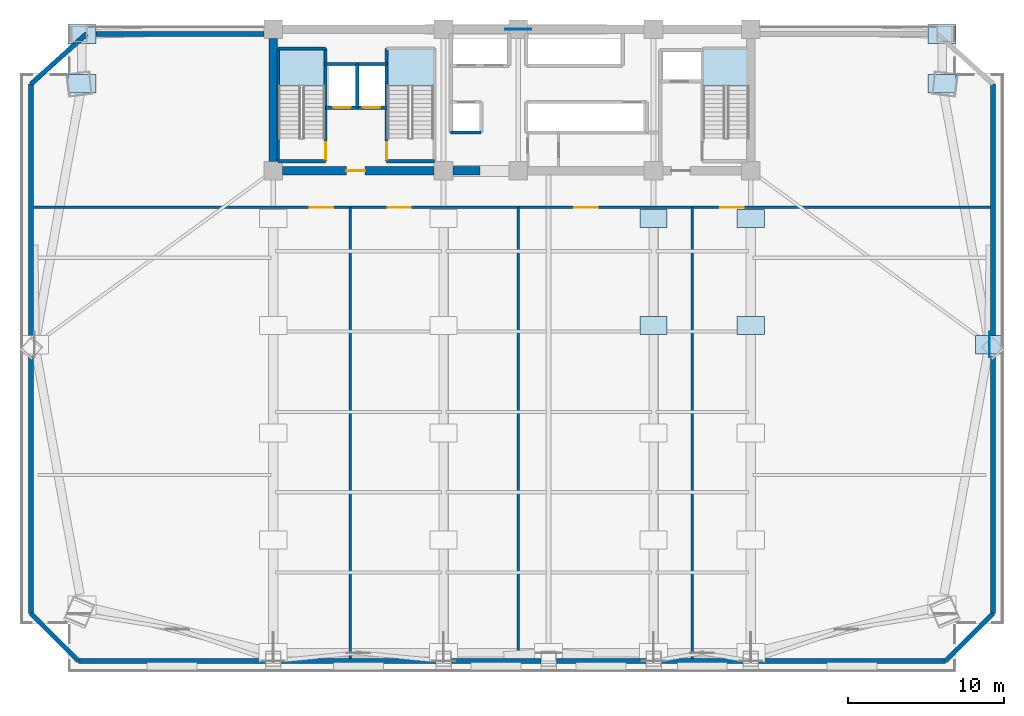
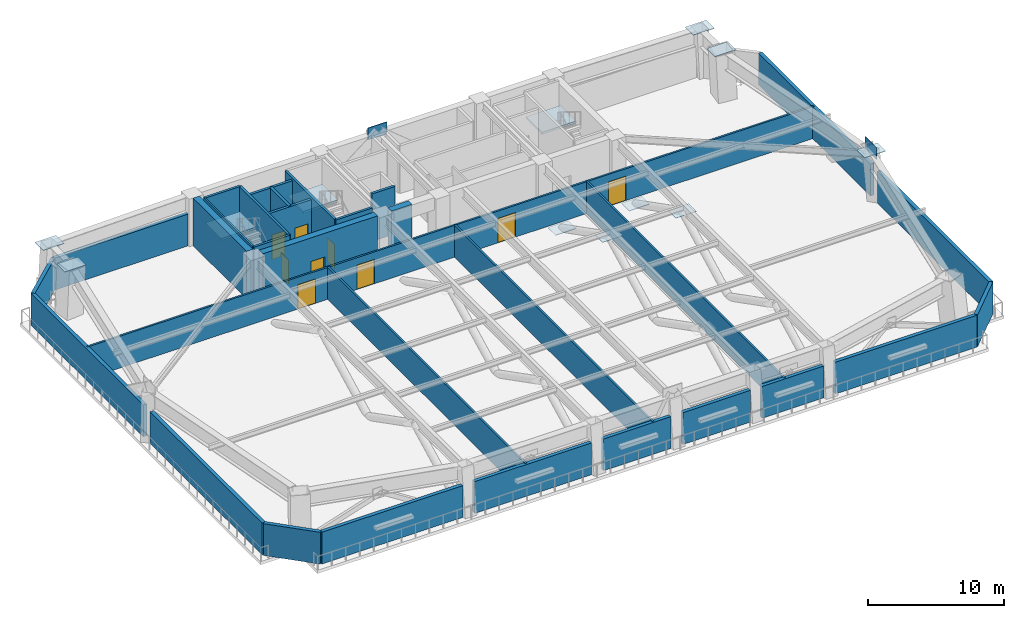
# One storey, part 3 of 10: 31 walls, 11 plates, 9 doors, 3 slabs, 9 openings, 3 elements without a shape of their own.
"""IFC4 building model written with IfcOpenShell, lengths in metres."""

from ifc_helpers import new_model, si_unit, direction, frame, frame_2d, origin, origin_2d, place, context, subcontext, project, spatial, polyline, rectangle, outline, extrude, source, transform, mapped, material, layer, layer_set, type_object, element, fill, aggregate, save


model = new_model("IFC4")

# Units and contexts
model_context = context("Model", 3, precision=1e-05, world=origin(), true_north=direction((0.0, 1.0)))
body_context = subcontext(model_context, "Body", "Model", "MODEL_VIEW")
ifc_project = project(units=[si_unit("LENGTHUNIT", "METRE"), si_unit("AREAUNIT", "SQUARE_METRE"), si_unit("VOLUMEUNIT", "CUBIC_METRE"), si_unit("PLANEANGLEUNIT", "RADIAN"), si_unit("MASSUNIT", "GRAM", prefix="KILO")], contexts=[model_context])

# Site, building, storey
site_placement = place(None, origin())
site = spatial("IfcSite", under=ifc_project, at=site_placement, CompositionType="ELEMENT")
building_placement = place(site_placement, origin())
building = spatial("IfcBuilding", under=site, at=building_placement, Name="Giltprow Tower", CompositionType="ELEMENT")
storey_placement = place(building_placement, frame((0.0, 0.0, 95.199951171875)))
storey = spatial("IfcBuildingStorey", under=building, at=storey_placement, Name="L23", CompositionType="ELEMENT", Elevation=95.199951171875)

# Stair, slab
ifc_material_1 = material(Name="Concrete C40", Category="concrete")
stair_type_1 = type_object("IfcStairType", Name="STR-ST-1", PredefinedType="HALF_TURN_STAIR", material=ifc_material_1)
stair_1_placement = place(storey_placement, origin())
stair_1 = element("IfcStair", 1, at=stair_1_placement, inside=storey, type_object=stair_type_1, Name="L23 Core Exit Stair ST-1", PredefinedType="HALF_TURN_STAIR")
ifc_layer_1 = layer(ifc_material_1, 0.179931640625, Name="Concrete C40")
ifc_layer_set_1 = layer_set([ifc_layer_1], Name="Concrete C40")
slab_type_1 = type_object("IfcSlabType", Name="SLD-ST-1", PredefinedType="LANDING", material=ifc_layer_set_1)
slab_1_placement = place(storey_placement, frame((0.0, 0.0, 2.070068359375)))
slab_1 = element("IfcSlab", 2, at=slab_1_placement, type_object=slab_type_1, Name="ST-1 landing 1", PredefinedType="LANDING", context=body_context, shape_type="SweptSolid", body=[
    extrude(outline(polyline([(23.159912109375, 42.909912109375), (23.159912109375, 45.25), (20.199951171875, 45.25), (20.199951171875, 42.909912109375), (23.159912109375, 42.909912109375)])), origin(), (0.0, 0.0, 1.0), 0.179931640625),
])
aggregate(stair_1, [slab_1])

stair_type_2 = type_object("IfcStairType", Name="STR-ST-2", PredefinedType="HALF_TURN_STAIR", material=ifc_material_1)
stair_2_placement = place(storey_placement, origin())
stair_2 = element("IfcStair", 3, at=stair_2_placement, inside=storey, type_object=stair_type_2, Name="L23 Core Exit Stair ST-2", PredefinedType="HALF_TURN_STAIR")
ifc_layer_2 = layer(ifc_material_1, 0.18798828125, Name="Concrete C40")
ifc_layer_set_2 = layer_set([ifc_layer_2], Name="Concrete C40")
slab_type_2 = type_object("IfcSlabType", Name="SLD-ST-2", PredefinedType="LANDING", material=ifc_layer_set_2)
slab_2_placement = place(storey_placement, frame((0.0, 0.0, 2.06201171875)))
slab_2 = element("IfcSlab", 4, at=slab_2_placement, type_object=slab_type_2, Name="ST-2 landing 1", PredefinedType="LANDING", context=body_context, shape_type="SweptSolid", body=[
    extrude(outline(polyline([(30.159912109375, 42.909912109375), (30.159912109375, 45.25), (27.199951171875, 45.25), (27.199951171875, 42.909912109375), (30.159912109375, 42.909912109375)])), origin(), (0.0, 0.0, 1.0), 0.18798828125),
])
aggregate(stair_2, [slab_2])

stair_type_3 = type_object("IfcStairType", Name="STR-ST-3", PredefinedType="HALF_TURN_STAIR", material=ifc_material_1)
stair_3_placement = place(storey_placement, origin())
stair_3 = element("IfcStair", 5, at=stair_3_placement, inside=storey, type_object=stair_type_3, Name="L23 Core Exit Stair ST-3", PredefinedType="HALF_TURN_STAIR")
ifc_layer_3 = layer(ifc_material_1, 0.196044921875, Name="Concrete C40")
ifc_layer_set_3 = layer_set([ifc_layer_3], Name="Concrete C40")
slab_type_3 = type_object("IfcSlabType", Name="SLD-ST-3", PredefinedType="LANDING", material=ifc_layer_set_3)
slab_3_placement = place(storey_placement, frame((0.0, 0.0, 2.053955078125)))
slab_3 = element("IfcSlab", 6, at=slab_3_placement, type_object=slab_type_3, Name="ST-3 landing 1", PredefinedType="LANDING", context=body_context, shape_type="SweptSolid", body=[
    extrude(outline(polyline([(50.4599609375, 42.909912109375), (50.4599609375, 45.25), (47.5, 45.25), (47.5, 42.909912109375), (50.4599609375, 42.909912109375)])), origin(), (0.0, 0.0, 1.0), 0.196044921875),
])
aggregate(stair_3, [slab_3])

# Plates
ifc_material_2 = material(Name="Structural steel Q420GJC", Category="steel")
plate_type_1 = type_object("IfcPlateType", Name="PLT-CAP-SEAL-INT", PredefinedType="USERDEFINED", material=ifc_material_2)
shared_shape_1 = source(origin(), body_context, "Body", "SweptSolid", [
    extrude(rectangle(XDim=1.75, YDim=1.14990234375, at=origin_2d()), origin(), (0.0, 0.0, 1.0), 0.0400390625),
])
for number, where, z_axis, x_axis, name in (
    (7, (44.300048828125, 27.5029296875, 3.43994140625), (0.0, 0.0, 1.0), (1.0, 0.0, 0.0), "Outrigger Seal Plate L23-S3-3B"),
    (8, (44.300048828125, 34.39990234375, -0.099853515625), (0.0, 0.0, 1.0), (1.0, 0.0, 0.0), "Outrigger Seal Plate L23-S3-4B"),
    (9, (50.550048828125, 27.5029296875, 3.43994140625), (0.0, 0.0, 1.0), (1.0, 0.0, 0.0), "Outrigger Seal Plate L23-S4-3B"),
    (10, (50.550048828125, 34.39990234375, -0.099853515625), (0.0, 0.0, 1.0), (1.0, 0.0, 0.0), "Outrigger Seal Plate L23-S4-4B"),
):
    element("IfcPlate", number, at=place(storey_placement, frame(where, z_axis=z_axis, x_axis=x_axis)), inside=storey, type_object=plate_type_1, Name=name, ObjectType="SPLICE", PredefinedType="USERDEFINED", context=body_context, shape_type="MappedRepresentation", body=[
        mapped(shared_shape_1, transform((0.0, 0.0, 0.0), x_axis=(1.0, 0.0, 0.0), y_axis=(0.0, 1.0, 0.0), z_axis=(0.0, 0.0, 1.0), scale=1.0)),
    ])
plate_type_2 = type_object("IfcPlateType", Name="PLT-NODE-CKN1", PredefinedType="USERDEFINED", material=ifc_material_2)
shared_shape_2 = source(origin(), body_context, "Body", "SweptSolid", [
    extrude(rectangle(XDim=1.800048828125, YDim=1.199951171875, at=origin_2d()), origin(), (0.0, 0.0, 1.0), 0.044921875),
])
for number, where, z_axis, x_axis, name in (
    (11, (7.552978515625, 43.055908203125, 4.237548828125), (0.0, 0.0, 1.0), (1.0, 0.0, 0.0), "CKN1 Column Taper Splice Node L23-MC_NW"),
    (12, (62.847900390625, 43.055908203125, 4.237548828125), (0.0, 0.0, 1.0), (1.0, 0.0, 0.0), "CKN1 Column Taper Splice Node L23-MC_NE"),
    (13, (65.89111328125, 26.280029296875, 4.237548828125), (0.0, 0.0, 1.0), (1.0, 0.0, 0.0), "CKN1 Column Taper Splice Node L23-E_MID"),
    (14, (7.552978515625, 46.25, 4.237548828125), (0.0, 0.0, 1.0), (1.0, 0.0, 0.0), "CKN1 Column Taper Splice Node L23-N_W"),
    (15, (62.847900390625, 46.25, 4.237548828125), (0.0, 0.0, 1.0), (1.0, 0.0, 0.0), "CKN1 Column Taper Splice Node L23-N_E"),
):
    element("IfcPlate", number, at=place(storey_placement, frame(where, z_axis=z_axis, x_axis=x_axis)), inside=storey, type_object=plate_type_2, Name=name, ObjectType="SPLICE", PredefinedType="USERDEFINED", context=body_context, shape_type="MappedRepresentation", body=[
        mapped(shared_shape_2, transform((0.0, 0.0, 0.0), x_axis=(1.0, 0.0, 0.0), y_axis=(0.0, 1.0, 0.0), z_axis=(0.0, 0.0, 1.0), scale=1.0)),
    ])
plate_type_3 = type_object("IfcPlateType", Name="PLT-NODE-MBN2", PredefinedType="USERDEFINED", material=ifc_material_2)
shared_shape_3 = source(origin(), body_context, "Body", "SweptSolid", [
    extrude(rectangle(XDim=1.64990234375, YDim=0.044921875, at=origin_2d()), origin(), (0.0, 0.0, 1.0), 1.050048828125),
])
for number, where, z_axis, x_axis, name in (
    (16, (35.60009765625, 46.550048828125, 3.8349609375), (0.0, 0.0, 1.0), (1.0, 0.0, 0.0), "Mega-Brace Node L23-N-LB"),
    (17, (65.89111328125, 26.280029296875, 3.97509765625), (0.0, 0.0, 1.0), (0.0, 1.0, 0.0), "Mega-Brace Node L23-E-RB"),
):
    element("IfcPlate", number, at=place(storey_placement, frame(where, z_axis=z_axis, x_axis=x_axis)), inside=storey, type_object=plate_type_3, Name=name, ObjectType="GUSSET", PredefinedType="USERDEFINED", context=body_context, shape_type="MappedRepresentation", body=[
        mapped(shared_shape_3, transform((0.0, 0.0, 0.0), x_axis=(1.0, 0.0, 0.0), y_axis=(0.0, 1.0, 0.0), z_axis=(0.0, 0.0, 1.0), scale=1.0)),
    ])

# Walls
ifc_material_3 = material(Name="Precast concrete C40", Category="concrete")
ifc_layer_4 = layer(ifc_material_3, 0.300048828125, Name="Precast concrete C40")
ifc_layer_set_4 = layer_set([ifc_layer_4], Name="Precast concrete C40")
wall_type_1 = type_object("IfcWallType", Name="EW-NOTCH-CHAMFER-300", PredefinedType="SOLIDWALL", material=ifc_layer_set_4)
for number, where, z_axis, x_axis, name in (
    (18, (4.27490234375, 9.006103515625, 0.0), (0.0, 0.0, 1.0), (0.707106781187, -0.707106781187, 0.0), "L23 Corner Notch Wall SW"),
    (19, (63.055908203125, 5.93603515625, 0.0), (0.0, 0.0, 1.0), (0.707106781187, 0.707106781187, 0.0), "L23 Corner Notch Wall SE"),
):
    element("IfcWall", number, at=place(storey_placement, frame(where, z_axis=z_axis, x_axis=x_axis)), inside=storey, type_object=wall_type_1, Name=name, PredefinedType="SOLIDWALL", context=body_context, shape_type="SweptSolid", body=[
        extrude(rectangle(XDim=4.341796875, YDim=0.300048828125, at=frame_2d((2.1708984375, 0.0))), origin(), (0.0, 0.0, 1.0), 2.860107421875),
    ])
wall_1_placement = place(storey_placement, frame((7.844970703125, 46.25, 0.0), z_axis=(0.0, 0.0, 1.0), x_axis=(-0.742579132676, -0.669758338294, 0.0)))
element("IfcWall", 20, at=wall_1_placement, inside=storey, type_object=wall_type_1, Name="L23 Corner Notch Wall NW", PredefinedType="SOLIDWALL", context=body_context, shape_type="SweptSolid", body=[
    extrude(rectangle(XDim=4.8076171875, YDim=0.300048828125, at=frame_2d((2.40380859375, 0.0))), origin(), (0.0, 0.0, 1.0), 2.860107421875),
])
ifc_layer_5 = layer(ifc_material_3, 0.300048828125, Name="Precast concrete C40")
ifc_layer_set_5 = layer_set([ifc_layer_5], Name="Precast concrete C40")
wall_type_2 = type_object("IfcWallType", Name="EW-REF-LOUVRE-300", PredefinedType="SOLIDWALL", material=ifc_layer_set_5)
wall_2_placement = place(storey_placement, frame((7.344970703125, 5.93603515625, 0.0), z_axis=(0.0, 0.0, 1.0), x_axis=(1.0, 0.0, 0.0)))
element("IfcWall", 21, at=wall_2_placement, inside=storey, type_object=wall_type_2, Name="L23 South Expressed Frame Wall 1", PredefinedType="SOLIDWALL", context=body_context, shape_type="SweptSolid", body=[
    extrude(rectangle(XDim=12.005126953125, YDim=0.300048828125, at=frame_2d((6.00244140625, 0.0))), origin(), (0.0, 0.0, 1.0), 2.860107421875),
])
wall_3_placement = place(storey_placement, frame((20.35009765625, 5.93603515625, 0.0), z_axis=(0.0, 0.0, 1.0), x_axis=(1.0, 0.0, 0.0)))
element("IfcWall", 22, at=wall_3_placement, inside=storey, type_object=wall_type_2, Name="L23 South Expressed Frame Wall 2", PredefinedType="SOLIDWALL", context=body_context, shape_type="SweptSolid", body=[
    extrude(rectangle(XDim=9.949951171875, YDim=0.300048828125, at=frame_2d((4.97509765625, 0.0))), origin(), (0.0, 0.0, 1.0), 2.860107421875),
])
for number, where, z_axis, x_axis, name in (
    (23, (31.300048828125, 5.93603515625, 0.0), (0.0, 0.0, 1.0), (1.0, 0.0, 0.0), "L23 South Expressed Frame Wall 3"),
    (24, (38.050048828125, 5.93603515625, 0.0), (0.0, 0.0, 1.0), (1.0, 0.0, 0.0), "L23 South Expressed Frame Wall 4"),
):
    element("IfcWall", number, at=place(storey_placement, frame(where, z_axis=z_axis, x_axis=x_axis)), inside=storey, type_object=wall_type_2, Name=name, PredefinedType="SOLIDWALL", context=body_context, shape_type="SweptSolid", body=[
        extrude(rectangle(XDim=5.75, YDim=0.300048828125, at=frame_2d((2.875, 0.0))), origin(), (0.0, 0.0, 1.0), 2.860107421875),
    ])
wall_4_placement = place(storey_placement, frame((44.800048828125, 5.93603515625, 0.0), z_axis=(0.0, 0.0, 1.0), x_axis=(1.0, 0.0, 0.0)))
element("IfcWall", 25, at=wall_4_placement, inside=storey, type_object=wall_type_2, Name="L23 South Expressed Frame Wall 5", PredefinedType="SOLIDWALL", context=body_context, shape_type="SweptSolid", body=[
    extrude(rectangle(XDim=5.25, YDim=0.300048828125, at=frame_2d((2.625, 0.0))), origin(), (0.0, 0.0, 1.0), 2.860107421875),
])
wall_5_placement = place(storey_placement, frame((51.050048828125, 5.93603515625, 0.0), z_axis=(0.0, 0.0, 1.0), x_axis=(1.0, 0.0, 0.0)))
element("IfcWall", 26, at=wall_5_placement, inside=storey, type_object=wall_type_2, Name="L23 South Expressed Frame Wall 6", PredefinedType="SOLIDWALL", context=body_context, shape_type="SweptSolid", body=[
    extrude(rectangle(XDim=12.005859375, YDim=0.300048828125, at=frame_2d((6.0029296875, 0.0))), origin(), (0.0, 0.0, 1.0), 2.860107421875),
])
for number, where, z_axis, x_axis, name in (
    (27, (4.27490234375, 9.006103515625, 0.0), (0.0, 0.0, 1.0), (0.0, 1.0, 0.0), "L23 W Wing Masonry Wall 1"),
    (28, (4.27490234375, 26.51806640625, 0.0), (0.0, 0.0, 1.0), (0.0, 1.0, 0.0), "L23 W Wing Masonry Wall 2"),
    (29, (66.1259765625, 9.006103515625, 0.0), (0.0, 0.0, 1.0), (0.0, 1.0, 0.0), "L23 E Wing Masonry Wall 1"),
    (30, (66.1259765625, 26.51806640625, 0.0), (0.0, 0.0, 1.0), (0.0, 1.0, 0.0), "L23 E Wing Masonry Wall 2"),
):
    element("IfcWall", number, at=place(storey_placement, frame(where, z_axis=z_axis, x_axis=x_axis)), inside=storey, type_object=wall_type_2, Name=name, PredefinedType="SOLIDWALL", context=body_context, shape_type="SweptSolid", body=[
        extrude(rectangle(XDim=16.511962890625, YDim=0.300048828125, at=frame_2d((8.255859375, 0.0))), origin(), (0.0, 0.0, 1.0), 2.860107421875),
    ])
wall_6_placement = place(storey_placement, frame((7.844970703125, 46.25, 0.0), z_axis=(0.0, 0.0, 1.0), x_axis=(1.0, 0.0, 0.0)))
element("IfcWall", 31, at=wall_6_placement, inside=storey, type_object=wall_type_2, Name="L23 North-West Wing Wall", PredefinedType="SOLIDWALL", context=body_context, shape_type="SweptSolid", body=[
    extrude(rectangle(XDim=11.405029296875, YDim=0.300048828125, at=frame_2d((5.70263671875, 0.0))), origin(), (0.0, 0.0, 1.0), 2.860107421875),
])

# Wall, openings, doors
ifc_material_4 = material(Name="Gypsum stud partition", Category="gypsum")
ifc_layer_6 = layer(ifc_material_4, 0.159912109375, Name="Gypsum stud partition")
ifc_layer_set_6 = layer_set([ifc_layer_6], Name="Gypsum stud partition")
wall_type_3 = type_object("IfcWallType", Name="IW-DEMISE-160", PredefinedType="PARTITIONING", material=ifc_layer_set_6)
wall_7_placement = place(storey_placement, frame((4.27490234375, 35.10009765625, 0.0), z_axis=(0.0, 0.0, 1.0), x_axis=(1.0, 0.0, 0.0)))
wall_7 = element("IfcWall", 32, at=wall_7_placement, inside=storey, type_object=wall_type_3, Name="L23 Refuge and Plant Corridor Wall", PredefinedType="PARTITIONING", context=body_context, shape_type="SweptSolid", body=[
    extrude(rectangle(XDim=61.85107421875, YDim=0.159912109375, at=frame_2d((30.925537109375, 0.0))), origin(), (0.0, 0.0, 1.0), 2.864990234375),
])
opening_1_placement = place(wall_7_placement, frame((17.925048828125, 0.0, 0.0)))
opening_1 = element("IfcOpeningElement", 33, at=opening_1_placement, cuts=wall_7, Name="Opening ID25", PredefinedType="OPENING", context=body_context, shape_type="SweptSolid", body=[
    extrude(rectangle(XDim=1.5, YDim=2.199951171875, at=frame_2d((0.75, 1.10009765625))), frame((0.0, 0.08984375, 0.0), z_axis=(0.0, -1.0, 0.0), x_axis=(1.0, 0.0, 0.0)), (0.0, 0.0, 1.0), 0.179931640625),
])
opening_2_placement = place(wall_7_placement, frame((22.925048828125, 0.0, 0.0)))
opening_2 = element("IfcOpeningElement", 34, at=opening_2_placement, cuts=wall_7, Name="Opening ID25", PredefinedType="OPENING", context=body_context, shape_type="SweptSolid", body=[
    extrude(rectangle(XDim=1.5, YDim=2.199951171875, at=frame_2d((0.75, 1.10009765625))), frame((0.0, 0.08984375, 0.0), z_axis=(0.0, -1.0, 0.0), x_axis=(1.0, 0.0, 0.0)), (0.0, 0.0, 1.0), 0.179931640625),
])
opening_3_placement = place(wall_7_placement, frame((34.925048828125, 0.0, 0.0)))
opening_3 = element("IfcOpeningElement", 35, at=opening_3_placement, cuts=wall_7, Name="Opening ID25", PredefinedType="OPENING", context=body_context, shape_type="SweptSolid", body=[
    extrude(rectangle(XDim=1.5, YDim=2.199951171875, at=frame_2d((0.75, 1.10009765625))), frame((0.0, 0.08984375, 0.0), z_axis=(0.0, -1.0, 0.0), x_axis=(1.0, 0.0, 0.0)), (0.0, 0.0, 1.0), 0.179931640625),
])
opening_4_placement = place(wall_7_placement, frame((44.324951171875, 0.0, 0.0)))
opening_4 = element("IfcOpeningElement", 36, at=opening_4_placement, cuts=wall_7, Name="Opening ID25", PredefinedType="OPENING", context=body_context, shape_type="SweptSolid", body=[
    extrude(rectangle(XDim=1.5, YDim=2.199951171875, at=frame_2d((0.75, 1.10009765625))), frame((0.0, 0.08984375, 0.0), z_axis=(0.0, -1.0, 0.0), x_axis=(1.0, 0.0, 0.0)), (0.0, 0.0, 1.0), 0.179931640625),
])
ifc_material_5 = material(Name="Steel fire leaf", Category="steel")
door_type_1 = type_object("IfcDoorType", Name="DR-PLANT-1500", OperationType="DOUBLE_SWING_LEFT", PredefinedType="DOOR", material=ifc_material_5)
shared_shape_4 = source(origin(), body_context, "Body", "SweptSolid", [
    extrude(rectangle(XDim=1.5, YDim=2.199951171875, at=frame_2d((0.75, 1.10009765625))), frame((0.0, 0.02490234375, 0.0), z_axis=(0.0, -1.0, 0.0), x_axis=(1.0, 0.0, 0.0)), (0.0, 0.0, 1.0), 0.050048828125),
])
door_1_placement = place(opening_1_placement, origin())
door_1 = element("IfcDoor", 37, at=door_1_placement, inside=storey, type_object=door_type_1, Name="L23 Pressurized Fire Refuge Holding Area West Door", OperationType="DOUBLE_SWING_LEFT", OverallHeight=2.199951171875, OverallWidth=1.5, PredefinedType="DOOR", context=body_context, shape_type="MappedRepresentation", body=[
    mapped(shared_shape_4, transform((0.0, 0.0, 0.0), x_axis=(1.0, 0.0, 0.0), y_axis=(0.0, 1.0, 0.0), z_axis=(0.0, 0.0, 1.0), scale=1.0)),
])
fill(opening_1, door_1)
door_2_placement = place(opening_2_placement, origin())
door_2 = element("IfcDoor", 38, at=door_2_placement, inside=storey, type_object=door_type_1, Name="L23 Zone Air Handling and Smoke Dampers Plant Door", OperationType="DOUBLE_SWING_LEFT", OverallHeight=2.199951171875, OverallWidth=1.5, PredefinedType="DOOR", context=body_context, shape_type="MappedRepresentation", body=[
    mapped(shared_shape_4, transform((0.0, 0.0, 0.0), x_axis=(1.0, 0.0, 0.0), y_axis=(0.0, 1.0, 0.0), z_axis=(0.0, 0.0, 1.0), scale=1.0)),
])
fill(opening_2, door_2)
door_3_placement = place(opening_3_placement, origin())
door_3 = element("IfcDoor", 39, at=door_3_placement, inside=storey, type_object=door_type_1, Name="L23 High-Zone Heat Exchanger and Pump Plant Door", OperationType="DOUBLE_SWING_LEFT", OverallHeight=2.199951171875, OverallWidth=1.5, PredefinedType="DOOR", context=body_context, shape_type="MappedRepresentation", body=[
    mapped(shared_shape_4, transform((0.0, 0.0, 0.0), x_axis=(1.0, 0.0, 0.0), y_axis=(0.0, 1.0, 0.0), z_axis=(0.0, 0.0, 1.0), scale=1.0)),
])
fill(opening_3, door_3)
door_4_placement = place(opening_4_placement, origin())
door_4 = element("IfcDoor", 40, at=door_4_placement, inside=storey, type_object=door_type_1, Name="L23 Pressurized Fire Refuge Holding Area East Door", OperationType="DOUBLE_SWING_LEFT", OverallHeight=2.199951171875, OverallWidth=1.5, PredefinedType="DOOR", context=body_context, shape_type="MappedRepresentation", body=[
    mapped(shared_shape_4, transform((0.0, 0.0, 0.0), x_axis=(1.0, 0.0, 0.0), y_axis=(0.0, 1.0, 0.0), z_axis=(0.0, 0.0, 1.0), scale=1.0)),
])
fill(opening_4, door_4)

# Walls
for number, where, z_axis, x_axis, name in (
    (41, (24.800048828125, 5.93603515625, 0.0), (0.0, 0.0, 1.0), (0.0, 1.0, 0.0), "L23 Refuge Compartment Wall 1"),
    (42, (35.60009765625, 5.93603515625, 0.0), (0.0, 0.0, 1.0), (0.0, 1.0, 0.0), "L23 Refuge Compartment Wall 2"),
    (43, (46.800048828125, 5.93603515625, 0.0), (0.0, 0.0, 1.0), (0.0, 1.0, 0.0), "L23 Refuge Compartment Wall 3"),
):
    element("IfcWall", number, at=place(storey_placement, frame(where, z_axis=z_axis, x_axis=x_axis)), inside=storey, type_object=wall_type_3, Name=name, PredefinedType="PARTITIONING", context=body_context, shape_type="SweptSolid", body=[
        extrude(rectangle(XDim=29.1640625, YDim=0.159912109375, at=frame_2d((14.58203125, 0.0))), origin(), (0.0, 0.0, 1.0), 2.864990234375),
    ])

# Wall, openings, doors
ifc_layer_7 = layer(ifc_material_1, 0.219970703125, Name="Concrete C40")
ifc_layer_set_7 = layer_set([ifc_layer_7], Name="Concrete C40")
wall_type_4 = type_object("IfcWallType", Name="IW-SHAFT-220", PredefinedType="SOLIDWALL", material=ifc_layer_set_7)
wall_8_placement = place(storey_placement, frame((23.219970703125, 41.52001953125, 0.0), z_axis=(0.0, 0.0, 1.0), x_axis=(1.0, 0.0, 0.0)))
wall_8 = element("IfcWall", 44, at=wall_8_placement, inside=storey, type_object=wall_type_4, Name="L23 FFL1 and Service Lift Front Wall", PredefinedType="SOLIDWALL", context=body_context, shape_type="SweptSolid", body=[
    extrude(rectangle(XDim=3.919921875, YDim=0.219970703125, at=frame_2d((1.9599609375, 0.0))), origin(), (0.0, 0.0, 1.0), 4.280029296875),
])
opening_5_placement = place(wall_8_placement, frame((0.5, 0.0, 0.0)))
opening_5 = element("IfcOpeningElement", 45, at=opening_5_placement, cuts=wall_8, Name="Opening LD-11", PredefinedType="OPENING", context=body_context, shape_type="SweptSolid", body=[
    extrude(rectangle(XDim=1.10009765625, YDim=2.199951171875, at=frame_2d((0.550048828125, 1.10009765625))), frame((0.0, 0.119873046875, 0.0), z_axis=(0.0, -1.0, 0.0), x_axis=(1.0, 0.0, 0.0)), (0.0, 0.0, 1.0), 0.239990234375),
])
opening_6_placement = place(wall_8_placement, frame((2.39990234375, 0.0, 0.0)))
opening_6 = element("IfcOpeningElement", 46, at=opening_6_placement, cuts=wall_8, Name="Opening LD-11", PredefinedType="OPENING", context=body_context, shape_type="SweptSolid", body=[
    extrude(rectangle(XDim=1.10009765625, YDim=2.199951171875, at=frame_2d((0.550048828125, 1.10009765625))), frame((0.0, 0.119873046875, 0.0), z_axis=(0.0, -1.0, 0.0), x_axis=(1.0, 0.0, 0.0)), (0.0, 0.0, 1.0), 0.239990234375),
])
ifc_material_6 = material(Name="Stainless steel", Category="steel")
door_type_2 = type_object("IfcDoorType", Name="DR-LIFT-LD1100", OperationType="SLIDING_TO_LEFT", PredefinedType="DOOR", material=ifc_material_6)
shared_shape_5 = source(origin(), body_context, "Body", "SweptSolid", [
    extrude(rectangle(XDim=1.10009765625, YDim=2.199951171875, at=frame_2d((0.550048828125, 1.10009765625))), frame((0.0, 0.02490234375, 0.0), z_axis=(0.0, -1.0, 0.0), x_axis=(1.0, 0.0, 0.0)), (0.0, 0.0, 1.0), 0.050048828125),
])
door_5_placement = place(opening_5_placement, origin())
door_5 = element("IfcDoor", 47, at=door_5_placement, inside=storey, type_object=door_type_2, Name="L23 FFL1 Landing Door", OperationType="SLIDING_TO_LEFT", OverallHeight=2.199951171875, OverallWidth=1.10009765625, PredefinedType="DOOR", context=body_context, shape_type="MappedRepresentation", body=[
    mapped(shared_shape_5, transform((0.0, 0.0, 0.0), x_axis=(1.0, 0.0, 0.0), y_axis=(0.0, 1.0, 0.0), z_axis=(0.0, 0.0, 1.0), scale=1.0)),
])
fill(opening_5, door_5)
door_6_placement = place(opening_6_placement, origin())
door_6 = element("IfcDoor", 48, at=door_6_placement, inside=storey, type_object=door_type_2, Name="L23 SVL1 Landing Door", OperationType="SLIDING_TO_LEFT", OverallHeight=2.199951171875, OverallWidth=1.10009765625, PredefinedType="DOOR", context=body_context, shape_type="MappedRepresentation", body=[
    mapped(shared_shape_5, transform((0.0, 0.0, 0.0), x_axis=(1.0, 0.0, 0.0), y_axis=(0.0, 1.0, 0.0), z_axis=(0.0, 0.0, 1.0), scale=1.0)),
])
fill(opening_6, door_6)

# Walls
wall_9_placement = place(storey_placement, frame((25.260009765625, 41.52001953125, 0.0), z_axis=(0.0, 0.0, 1.0), x_axis=(0.0, 1.0, 0.0)))
element("IfcWall", 49, at=wall_9_placement, inside=storey, type_object=wall_type_4, Name="L23 FFL1-SVL1 Shaft Divider", PredefinedType="SOLIDWALL", context=body_context, shape_type="SweptSolid", body=[
    extrude(rectangle(XDim=2.800048828125, YDim=0.219970703125, at=frame_2d((1.39990234375, 0.0))), origin(), (0.0, 0.0, 1.0), 4.280029296875),
])
wall_10_placement = place(storey_placement, frame((23.219970703125, 44.320068359375, 0.0), z_axis=(0.0, 0.0, 1.0), x_axis=(1.0, 0.0, 0.0)))
element("IfcWall", 50, at=wall_10_placement, inside=storey, type_object=wall_type_4, Name="L23 FFL1-SVL1 Back Shaft Wall", PredefinedType="SOLIDWALL", context=body_context, shape_type="SweptSolid", body=[
    extrude(rectangle(XDim=3.919921875, YDim=0.219970703125, at=frame_2d((1.9599609375, 0.0))), origin(), (0.0, 0.0, 1.0), 4.280029296875),
])
wall_11_placement = place(storey_placement, frame((31.25, 39.919921875, 0.0), z_axis=(0.0, 0.0, 1.0), x_axis=(1.0, 0.0, 0.0)))
element("IfcWall", 51, at=wall_11_placement, inside=storey, type_object=wall_type_4, Name="L23 Low-Rise South Lift Back Wall", PredefinedType="SOLIDWALL", context=body_context, shape_type="SweptSolid", body=[
    extrude(rectangle(XDim=1.969970703125, YDim=0.219970703125, at=frame_2d((0.98486328125, 0.0))), origin(), (0.0, 0.0, 1.0), 4.280029296875),
])
ifc_material_7 = material(Name="Concrete C45", Category="concrete")
ifc_layer_8 = layer(ifc_material_7, 0.139892578125, Name="Concrete C45")
ifc_layer_set_8 = layer_set([ifc_layer_8], Name="Concrete C45")
wall_type_5 = type_object("IfcWallType", Name="IW-STAIR-140", PredefinedType="SOLIDWALL", material=ifc_layer_set_8)
wall_12_placement = place(storey_placement, frame((20.169921875, 38.070068359375, 0.0), z_axis=(0.0, 0.0, 1.0), x_axis=(0.0, 1.0, 0.0)))
element("IfcWall", 52, at=wall_12_placement, inside=storey, type_object=wall_type_5, Name="L23 Stair ST-1 West Bearing Wall", PredefinedType="SOLIDWALL", context=body_context, shape_type="SweptSolid", body=[
    extrude(rectangle(XDim=7.25, YDim=0.139892578125, at=frame_2d((3.625, 0.0))), origin(), (0.0, 0.0, 1.0), 4.5),
])

# Wall, opening, door
ifc_layer_9 = layer(ifc_material_1, 0.199951171875, Name="Concrete C40")
ifc_layer_set_9 = layer_set([ifc_layer_9], Name="Concrete C40")
wall_type_6 = type_object("IfcWallType", Name="IW-STAIR-200", PredefinedType="SOLIDWALL", material=ifc_layer_set_9)
wall_13_placement = place(storey_placement, frame((23.219970703125, 38.070068359375, 0.0), z_axis=(0.0, 0.0, 1.0), x_axis=(0.0, 1.0, 0.0)))
wall_13 = element("IfcWall", 53, at=wall_13_placement, inside=storey, type_object=wall_type_6, Name="L23 Stair ST-1 East Bearing Wall", PredefinedType="SOLIDWALL", context=body_context, shape_type="SweptSolid", body=[
    extrude(rectangle(XDim=7.25, YDim=0.199951171875, at=frame_2d((3.625, 0.0))), origin(), (0.0, 0.0, 1.0), 4.5),
])
opening_7_placement = place(wall_13_placement, frame((0.110107421875, 0.0, 0.0)))
opening_7 = element("IfcOpeningElement", 54, at=opening_7_placement, cuts=wall_13, Name="Opening ID33", PredefinedType="OPENING", context=body_context, shape_type="SweptSolid", body=[
    extrude(rectangle(XDim=1.10009765625, YDim=2.14990234375, at=frame_2d((0.550048828125, 1.074951171875))), frame((0.0, 0.10986328125, 0.0), z_axis=(0.0, -1.0, 0.0), x_axis=(1.0, 0.0, 0.0)), (0.0, 0.0, 1.0), 0.219970703125),
])
door_type_3 = type_object("IfcDoorType", Name="DR-STAIR-1100", OperationType="SINGLE_SWING_LEFT", PredefinedType="DOOR", material=ifc_material_5)
shared_shape_6 = source(origin(), body_context, "Body", "SweptSolid", [
    extrude(rectangle(XDim=1.10009765625, YDim=2.14990234375, at=frame_2d((0.550048828125, 1.074951171875))), frame((0.0, 0.02490234375, 0.0), z_axis=(0.0, -1.0, 0.0), x_axis=(1.0, 0.0, 0.0)), (0.0, 0.0, 1.0), 0.050048828125),
])
door_7_placement = place(opening_7_placement, origin())
door_7 = element("IfcDoor", 55, at=door_7_placement, inside=storey, type_object=door_type_3, Name="L23 Stair ST-1 Fire Door", OperationType="SINGLE_SWING_RIGHT", OverallHeight=2.14990234375, OverallWidth=1.10009765625, PredefinedType="DOOR", context=body_context, shape_type="MappedRepresentation", body=[
    mapped(shared_shape_6, transform((0.0, 0.0, 0.0), x_axis=(1.0, 0.0, 0.0), y_axis=(0.0, 1.0, 0.0), z_axis=(0.0, 0.0, 1.0), scale=1.0)),
])
fill(opening_7, door_7)

# Walls
for number, where, z_axis, x_axis, name in (
    (56, (20.169921875, 45.320068359375, 0.0), (0.0, 0.0, 1.0), (1.0, 0.0, 0.0), "L23 Stair ST-1 North Bearing Wall"),
    (57, (20.169921875, 38.070068359375, 0.0), (0.0, 0.0, 1.0), (1.0, 0.0, 0.0), "L23 Stair ST-1 South Bearing Wall"),
):
    element("IfcWall", number, at=place(storey_placement, frame(where, z_axis=z_axis, x_axis=x_axis)), inside=storey, type_object=wall_type_6, Name=name, PredefinedType="SOLIDWALL", context=body_context, shape_type="SweptSolid", body=[
        extrude(rectangle(XDim=3.050048828125, YDim=0.199951171875, at=frame_2d((1.52490234375, 0.0))), origin(), (0.0, 0.0, 1.0), 4.5),
    ])

# Wall, opening, door
wall_14_placement = place(storey_placement, frame((27.139892578125, 38.070068359375, 0.0), z_axis=(0.0, 0.0, 1.0), x_axis=(0.0, 1.0, 0.0)))
wall_14 = element("IfcWall", 58, at=wall_14_placement, inside=storey, type_object=wall_type_6, Name="L23 Stair ST-2 West Bearing Wall", PredefinedType="SOLIDWALL", context=body_context, shape_type="SweptSolid", body=[
    extrude(rectangle(XDim=7.25, YDim=0.199951171875, at=frame_2d((3.625, 0.0))), origin(), (0.0, 0.0, 1.0), 4.5),
])
opening_8_placement = place(wall_14_placement, frame((0.110107421875, 0.0, 0.0)))
opening_8 = element("IfcOpeningElement", 59, at=opening_8_placement, cuts=wall_14, Name="Opening ID33", PredefinedType="OPENING", context=body_context, shape_type="SweptSolid", body=[
    extrude(rectangle(XDim=1.10009765625, YDim=2.14990234375, at=frame_2d((0.550048828125, 1.074951171875))), frame((0.0, 0.10986328125, 0.0), z_axis=(0.0, -1.0, 0.0), x_axis=(1.0, 0.0, 0.0)), (0.0, 0.0, 1.0), 0.219970703125),
])
door_8_placement = place(opening_8_placement, origin())
door_8 = element("IfcDoor", 60, at=door_8_placement, inside=storey, type_object=door_type_3, Name="L23 Stair ST-2 Fire Door", OperationType="SINGLE_SWING_LEFT", OverallHeight=2.14990234375, OverallWidth=1.10009765625, PredefinedType="DOOR", context=body_context, shape_type="MappedRepresentation", body=[
    mapped(shared_shape_6, transform((0.0, 0.0, 0.0), x_axis=(1.0, 0.0, 0.0), y_axis=(0.0, 1.0, 0.0), z_axis=(0.0, 0.0, 1.0), scale=1.0)),
])
fill(opening_8, door_8)

# Wall
wall_15_placement = place(storey_placement, frame((27.139892578125, 38.070068359375, 0.0), z_axis=(0.0, 0.0, 1.0), x_axis=(1.0, 0.0, 0.0)))
element("IfcWall", 61, at=wall_15_placement, inside=storey, type_object=wall_type_6, Name="L23 Stair ST-2 South Bearing Wall", PredefinedType="SOLIDWALL", context=body_context, shape_type="SweptSolid", body=[
    extrude(rectangle(XDim=3.080078125, YDim=0.199951171875, at=frame_2d((1.5400390625, 0.0))), origin(), (0.0, 0.0, 1.0), 4.5),
])

# Wall, opening, door
ifc_material_8 = material(Name="Concrete C60", Category="concrete")
ifc_layer_10 = layer(ifc_material_8, 0.550048828125, Name="Concrete C60")
ifc_layer_set_10 = layer_set([ifc_layer_10], Name="Concrete C60")
wall_type_7 = type_object("IfcWallType", Name="SW-INT-550-C60", PredefinedType="SHEAR", material=ifc_layer_set_10)
wall_16_placement = place(storey_placement, frame((20.449951171875, 37.449951171875, 0.0), z_axis=(0.0, 0.0, 1.0), x_axis=(1.0, 0.0, 0.0)))
wall_16 = element("IfcWall", 62, at=wall_16_placement, inside=storey, type_object=wall_type_7, Name="L23 South Rear Core Shear Wall West", PredefinedType="SHEAR", context=body_context, shape_type="SweptSolid", body=[
    extrude(rectangle(XDim=9.75, YDim=0.550048828125, at=frame_2d((4.875, 0.0))), origin(), (0.0, 0.0, 1.0), 4.280029296875),
])
opening_9_placement = place(wall_16_placement, frame((4.10009765625, 0.0, 0.0)))
opening_9 = element("IfcOpeningElement", 63, at=opening_9_placement, cuts=wall_16, Name="Opening ID19", PredefinedType="OPENING", context=body_context, shape_type="SweptSolid", body=[
    extrude(rectangle(XDim=1.199951171875, YDim=2.14990234375, at=frame_2d((0.60009765625, 1.074951171875))), frame((0.0, 0.284912109375, 0.0), z_axis=(0.0, -1.0, 0.0), x_axis=(1.0, 0.0, 0.0)), (0.0, 0.0, 1.0), 0.570068359375),
])
door_type_4 = type_object("IfcDoorType", Name="DR-FFLOBBY-1200", OperationType="SINGLE_SWING_RIGHT", PredefinedType="DOOR", material=ifc_material_5)
shared_shape_7 = source(origin(), body_context, "Body", "SweptSolid", [
    extrude(rectangle(XDim=1.199951171875, YDim=2.14990234375, at=frame_2d((0.60009765625, 1.074951171875))), frame((0.0, 0.02490234375, 0.0), z_axis=(0.0, -1.0, 0.0), x_axis=(1.0, 0.0, 0.0)), (0.0, 0.0, 1.0), 0.050048828125),
])
door_9_placement = place(opening_9_placement, origin())
door_9 = element("IfcDoor", 64, at=door_9_placement, inside=storey, type_object=door_type_4, Name="L23 West Firefighting Lobby Entry Door", OperationType="SINGLE_SWING_LEFT", OverallHeight=2.14990234375, OverallWidth=1.199951171875, PredefinedType="DOOR", context=body_context, shape_type="MappedRepresentation", body=[
    mapped(shared_shape_7, transform((0.0, 0.0, 0.0), x_axis=(1.0, 0.0, 0.0), y_axis=(0.0, 1.0, 0.0), z_axis=(0.0, 0.0, 1.0), scale=1.0)),
])
fill(opening_9, door_9)

# Walls
wall_17_placement = place(storey_placement, frame((31.39990234375, 37.449951171875, 0.0), z_axis=(0.0, 0.0, 1.0), x_axis=(1.0, 0.0, 0.0)))
element("IfcWall", 65, at=wall_17_placement, inside=storey, type_object=wall_type_7, Name="L23 South Rear Core Shear Wall Mid-West", PredefinedType="SHEAR", context=body_context, shape_type="SweptSolid", body=[
    extrude(rectangle(XDim=1.75, YDim=0.550048828125, at=frame_2d((0.875, 0.0))), origin(), (0.0, 0.0, 1.0), 4.280029296875),
])
wall_18_placement = place(storey_placement, frame((19.85009765625, 38.050048828125, 0.0), z_axis=(0.0, 0.0, 1.0), x_axis=(0.0, 1.0, 0.0)))
element("IfcWall", 66, at=wall_18_placement, inside=storey, type_object=wall_type_7, Name="L23 W Rear Core Shear Wall", PredefinedType="SHEAR", context=body_context, shape_type="SweptSolid", body=[
    extrude(rectangle(XDim=7.89990234375, YDim=0.550048828125, at=frame_2d((3.949951171875, 0.0))), origin(), (0.0, 0.0, 1.0), 4.280029296875),
])

save(model, "model.ifc")
